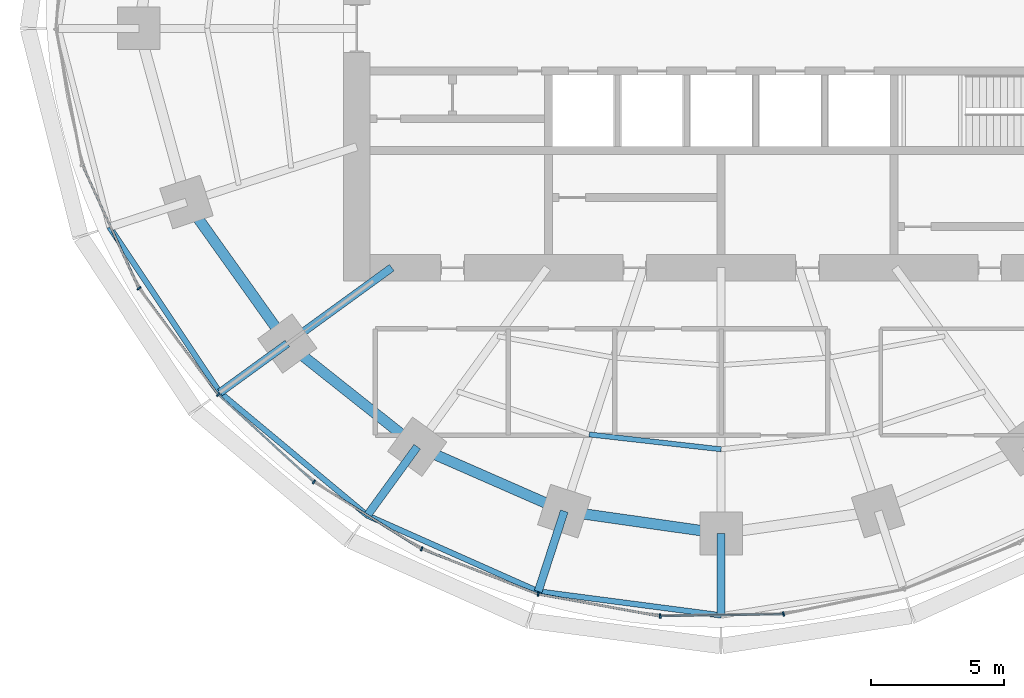
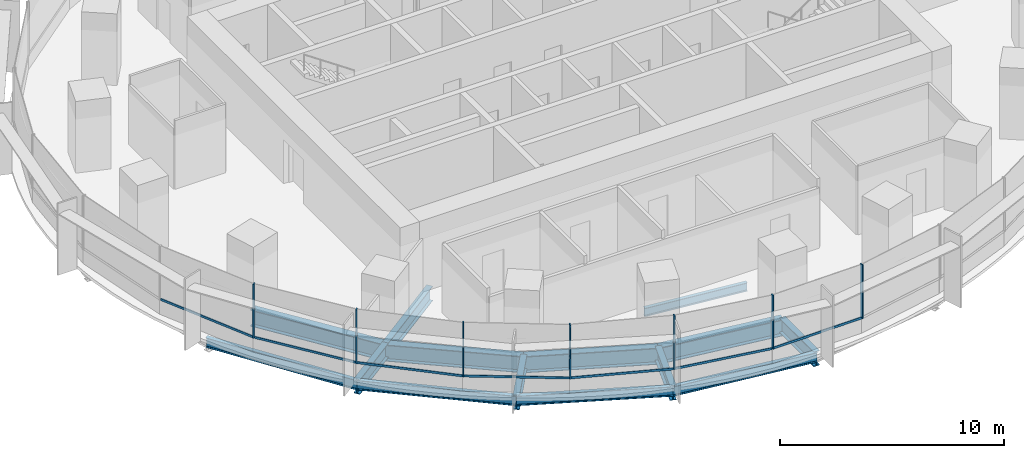
# One storey, part 2 of 14: 14 beams, 14 members, 2 elements without a shape of their own.
"""IFC4 building model written with IfcOpenShell, lengths in metres."""

from ifc_helpers import new_model, si_unit, direction, frame, origin, origin_2d, place, context, subcontext, project, spatial, rectangle, i_section, extrude, material, material_profile, profile_set, type_object, element, aggregate, save


model = new_model("IFC4")

# Units and contexts
model_context = context("Model", 3, precision=1e-05, world=origin(), true_north=direction((0.0, 1.0)))
body_context = subcontext(model_context, "Body", "Model", "MODEL_VIEW")
ifc_project = project(units=[si_unit("LENGTHUNIT", "METRE"), si_unit("AREAUNIT", "SQUARE_METRE"), si_unit("VOLUMEUNIT", "CUBIC_METRE"), si_unit("PLANEANGLEUNIT", "RADIAN"), si_unit("MASSUNIT", "GRAM", prefix="KILO")], contexts=[model_context])

# Site, building, storey
site_placement = place(None, origin())
site = spatial("IfcSite", under=ifc_project, at=site_placement, CompositionType="ELEMENT")
building_placement = place(site_placement, origin())
building = spatial("IfcBuilding", under=site, at=building_placement, Name="Marramba Exchange Tower", CompositionType="ELEMENT")
storey_placement = place(building_placement, frame((0.0, 0.0, 143.10009765625)))
storey = spatial("IfcBuildingStorey", under=building, at=storey_placement, Name="L34", CompositionType="ELEMENT", Elevation=143.10009765625)

# Beams
ifc_material_1 = material(Name="Steel AS/NZS 3679.2 grade 300", Category="steel")
ifc_material_profile_1 = material_profile(ifc_material_1, i_section(OverallWidth=0.300048828125, OverallDepth=0.800048828125, WebThickness=0.013916015625, FlangeThickness=0.031982421875, at=origin_2d()), Name="800WB192")
ifc_profile_set_1 = profile_set([ifc_material_profile_1], Name="Steel AS/NZS 3679.2 grade 300")
beam_type_1 = type_object("IfcBeamType", Name="Cantilever girder 800WB192", PredefinedType="BEAM", material=ifc_profile_set_1)
beam_1_placement = place(storey_placement, frame((-16.3154296875, -11.853759765625, -0.56005859375), z_axis=(-0.809025813822, -0.587773113173, 0.0), x_axis=(0.587773113173, -0.809025813822, 0.0)))
element("IfcBeam", 1, at=beam_1_placement, inside=storey, type_object=beam_type_1, Name="Cantilever girder L34 TC13", PredefinedType="BEAM", context=body_context, shape_type="SweptSolid", body=[
    extrude(i_section(OverallWidth=0.300048828125, OverallDepth=0.800048828125, WebThickness=0.013916015625, FlangeThickness=0.031982421875, at=origin_2d()), origin(), (0.0, 0.0, 1.0), 3.132568359375),
])
beam_2_placement = place(storey_placement, frame((-11.430419921875, -15.732666015625, -0.56005859375), z_axis=(-0.587767308424, -0.809030031054, 0.0), x_axis=(0.809030031054, -0.587767308424, 0.0)))
element("IfcBeam", 2, at=beam_2_placement, inside=storey, type_object=beam_type_1, Name="Cantilever girder L34 TC14", PredefinedType="BEAM", context=body_context, shape_type="SweptSolid", body=[
    extrude(i_section(OverallWidth=0.300048828125, OverallDepth=0.800048828125, WebThickness=0.013916015625, FlangeThickness=0.031982421875, at=origin_2d()), origin(), (0.0, 0.0, 1.0), 3.195556640625),
])
beam_3_placement = place(storey_placement, frame((-5.899658203125, -18.156982421875, -0.56005859375), z_axis=(-0.309018232614, -0.951056113966, 0.0), x_axis=(0.951056113966, -0.309018232614, 0.0)))
element("IfcBeam", 3, at=beam_3_placement, inside=storey, type_object=beam_type_1, Name="Cantilever girder L34 TC15", PredefinedType="BEAM", context=body_context, shape_type="SweptSolid", body=[
    extrude(i_section(OverallWidth=0.300048828125, OverallDepth=0.800048828125, WebThickness=0.013916015625, FlangeThickness=0.031982421875, at=origin_2d()), origin(), (0.0, 0.0, 1.0), 3.173583984375),
])
beam_4_placement = place(storey_placement, frame((0.0, -18.99609375, -0.56005859375), z_axis=(0.0, -1.0, 0.0), x_axis=(1.0, 0.0, 0.0)))
element("IfcBeam", 4, at=beam_4_placement, inside=storey, type_object=beam_type_1, Name="Cantilever girder L34 TC16", PredefinedType="BEAM", context=body_context, shape_type="SweptSolid", body=[
    extrude(i_section(OverallWidth=0.300048828125, OverallDepth=0.800048828125, WebThickness=0.013916015625, FlangeThickness=0.031982421875, at=origin_2d()), origin(), (0.0, 0.0, 1.0), 3.080810546875),
])
ifc_material_2 = material(Name="Steel AS/NZS 3679.1 grade 300", Category="steel")
ifc_material_profile_2 = material_profile(ifc_material_2, i_section(OverallWidth=0.18994140625, OverallDepth=0.4541015625, WebThickness=0.008544921875, FlangeThickness=0.0126953125, FilletRadius=0.011474609375, at=origin_2d()), Name="460UB67.1")
ifc_profile_set_2 = profile_set([ifc_material_profile_2], Name="Steel AS/NZS 3679.1 grade 300")
beam_type_2 = type_object("IfcBeamType", Name="Floor joist 460UB67.1", PredefinedType="JOIST", material=ifc_profile_set_2)
beam_5_placement = place(storey_placement, frame((-4.9619140625, -15.271484375, -0.38720703125), z_axis=(0.993712018573, -0.111966174106, 0.0), x_axis=(0.111966174106, 0.993712018573, 0.0)))
element("IfcBeam", 5, at=beam_5_placement, inside=storey, type_object=beam_type_2, Name="Joist L34 bay 15 row 2", PredefinedType="JOIST", context=body_context, shape_type="SweptSolid", body=[
    extrude(i_section(OverallWidth=0.18994140625, OverallDepth=0.4541015625, WebThickness=0.008544921875, FlangeThickness=0.0126953125, FilletRadius=0.011474609375, at=origin_2d()), origin(), (0.0, 0.0, 1.0), 4.993408203125),
])

# Curtain wall, members
ifc_material_3 = material(Name="Aluminium framing, bronze anodised", Category="aluminium")
curtain_wall_type = type_object("IfcCurtainWallType", Name="Office ribbon curtain wall", PredefinedType="USERDEFINED", material=ifc_material_3)
curtain_wall_1_placement = place(storey_placement, origin())
curtain_wall_1 = element("IfcCurtainWall", 6, at=curtain_wall_1_placement, inside=storey, type_object=curtain_wall_type, Name="Curtain wall CW4 L34 F16-F20", ObjectType="RIBBON CURTAIN WALL", PredefinedType="USERDEFINED")
ifc_material_4 = material(Name="Aluminium mullion, bronze anodised", Category="aluminium")
ifc_material_profile_3 = material_profile(ifc_material_4, rectangle(XDim=0.159912109375, YDim=0.06005859375, at=origin_2d()), Name="CW4 mullion 60x160")
ifc_profile_set_3 = profile_set([ifc_material_profile_3], Name="Aluminium mullion, bronze anodised")
member_type_1 = type_object("IfcMemberType", Name="Office ribbon curtain wall mullion", PredefinedType="MULLION", material=ifc_profile_set_3)
member_1_placement = place(storey_placement, frame((-21.891357421875, -9.778564453125, 0.7998046875), z_axis=(0.0, 0.0, 1.0), x_axis=(0.802014400683, 0.597304697033, 0.0)))
member_1 = element("IfcMember", 7, at=member_1_placement, type_object=member_type_1, Name="CW4 mullion 1", PredefinedType="MULLION", context=body_context, shape_type="SweptSolid", body=[
    extrude(rectangle(XDim=0.159912109375, YDim=0.06005859375, at=origin_2d()), origin(), (0.0, 0.0, 1.0), 2.940185546875),
])
member_2_placement = place(storey_placement, frame((-18.90869140625, -13.774169921875, 0.7998046875), z_axis=(0.0, 0.0, 1.0), x_axis=(0.674995455115, 0.737821886077, 0.0)))
member_2 = element("IfcMember", 8, at=member_2_placement, type_object=member_type_1, Name="CW4 mullion 1", PredefinedType="MULLION", context=body_context, shape_type="SweptSolid", body=[
    extrude(rectangle(XDim=0.159912109375, YDim=0.06005859375, at=origin_2d()), origin(), (0.0, 0.0, 1.0), 2.940185546875),
])
member_3_placement = place(storey_placement, frame((-15.315673828125, -17.053955078125, 0.7998046875), z_axis=(0.0, 0.0, 1.0), x_axis=(0.52942844364, 0.84835459748, 0.0)))
member_3 = element("IfcMember", 9, at=member_3_placement, type_object=member_type_1, Name="CW4 mullion 1", PredefinedType="MULLION", context=body_context, shape_type="SweptSolid", body=[
    extrude(rectangle(XDim=0.159912109375, YDim=0.06005859375, at=origin_2d()), origin(), (0.0, 0.0, 1.0), 2.940185546875),
])

curtain_wall_2_placement = place(storey_placement, origin())
curtain_wall_2 = element("IfcCurtainWall", 10, at=curtain_wall_2_placement, inside=storey, type_object=curtain_wall_type, Name="Curtain wall CW4 L34 F21-F25", ObjectType="RIBBON CURTAIN WALL", PredefinedType="USERDEFINED")
member_4_placement = place(storey_placement, frame((-11.266845703125, -19.573974609375, 0.7998046875), z_axis=(0.0, 0.0, 1.0), x_axis=(0.36292490603, 0.931818390344, 0.0)))
member_4 = element("IfcMember", 11, at=member_4_placement, type_object=member_type_1, Name="CW4 mullion 1", PredefinedType="MULLION", context=body_context, shape_type="SweptSolid", body=[
    extrude(rectangle(XDim=0.159912109375, YDim=0.06005859375, at=origin_2d()), origin(), (0.0, 0.0, 1.0), 2.940185546875),
])
member_5_placement = place(storey_placement, frame((-6.881591796875, -21.27587890625, 0.7998046875), z_axis=(0.0, 0.0, 1.0), x_axis=(0.177992379115, 0.984031865834, 0.0)))
member_5 = element("IfcMember", 12, at=member_5_placement, type_object=member_type_1, Name="CW4 mullion 1", PredefinedType="MULLION", context=body_context, shape_type="SweptSolid", body=[
    extrude(rectangle(XDim=0.159912109375, YDim=0.06005859375, at=origin_2d()), origin(), (0.0, 0.0, 1.0), 2.940185546875),
])
member_6_placement = place(storey_placement, frame((-2.292724609375, -22.099853515625, 0.7998046875), z_axis=(0.0, 0.0, 1.0), x_axis=(-0.015178646521, 0.999884797709, 0.0)))
member_6 = element("IfcMember", 13, at=member_6_placement, type_object=member_type_1, Name="CW4 mullion 1", PredefinedType="MULLION", context=body_context, shape_type="SweptSolid", body=[
    extrude(rectangle(XDim=0.159912109375, YDim=0.06005859375, at=origin_2d()), origin(), (0.0, 0.0, 1.0), 2.940185546875),
])
member_7_placement = place(storey_placement, frame((2.3447265625, -22.02392578125, 0.7998046875), z_axis=(0.0, 0.0, 1.0), x_axis=(-0.202364850159, 0.979310199794, 0.0)))
member_7 = element("IfcMember", 14, at=member_7_placement, type_object=member_type_1, Name="CW4 mullion 1", PredefinedType="MULLION", context=body_context, shape_type="SweptSolid", body=[
    extrude(rectangle(XDim=0.159912109375, YDim=0.06005859375, at=origin_2d()), origin(), (0.0, 0.0, 1.0), 2.940185546875),
])

# Member
ifc_material_5 = material(Name="Aluminium transom, bronze anodised", Category="aluminium")
ifc_material_profile_4 = material_profile(ifc_material_5, rectangle(XDim=0.06005859375, YDim=0.1201171875, at=origin_2d()), Name="CW4 transom 60x120")
ifc_profile_set_4 = profile_set([ifc_material_profile_4], Name="Aluminium transom, bronze anodised")
member_type_2 = type_object("IfcMemberType", Name="Office ribbon curtain wall transom", PredefinedType="USERDEFINED", material=ifc_profile_set_4)
member_8_placement = place(storey_placement, frame((-24.013671875, -5.1640625, 0.829833984375), z_axis=(0.416732948599, -0.909028959688, 0.0), x_axis=(0.909028959688, 0.416732948599, 0.0)))
member_8 = element("IfcMember", 15, at=member_8_placement, type_object=member_type_2, Name="CW4 sill transom", ObjectType="TRANSOM", PredefinedType="USERDEFINED", context=body_context, shape_type="SweptSolid", body=[
    extrude(rectangle(XDim=0.06005859375, YDim=0.1201171875, at=origin_2d()), origin(), (0.0, 0.0, 1.0), 5.050048828125),
])

member_9_placement = place(storey_placement, frame((-21.873291015625, -9.802734375, 0.829833984375), z_axis=(0.597300736643, -0.80201735019, 0.0), x_axis=(0.80201735019, 0.597300736643, 0.0)))
member_9 = element("IfcMember", 16, at=member_9_placement, type_object=member_type_2, Name="CW4 sill transom", ObjectType="TRANSOM", PredefinedType="USERDEFINED", context=body_context, shape_type="SweptSolid", body=[
    extrude(rectangle(XDim=0.06005859375, YDim=0.1201171875, at=origin_2d()), origin(), (0.0, 0.0, 1.0), 4.926513671875),
])

member_10_placement = place(storey_placement, frame((-18.886474609375, -13.79443359375, 0.829833984375), z_axis=(0.737807565469, -0.675011108306, 0.0), x_axis=(0.675011108306, 0.737807565469, 0.0)))
member_10 = element("IfcMember", 17, at=member_10_placement, type_object=member_type_2, Name="CW4 sill transom", ObjectType="TRANSOM", PredefinedType="USERDEFINED", context=body_context, shape_type="SweptSolid", body=[
    extrude(rectangle(XDim=0.06005859375, YDim=0.1201171875, at=origin_2d()), origin(), (0.0, 0.0, 1.0), 4.805419921875),
])

member_11_placement = place(storey_placement, frame((-15.2900390625, -17.06982421875, 0.829833984375), z_axis=(0.848373790728, -0.529397687193, 0.0), x_axis=(0.529397687193, 0.848373790728, 0.0)))
member_11 = element("IfcMember", 18, at=member_11_placement, type_object=member_type_2, Name="CW4 sill transom", ObjectType="TRANSOM", PredefinedType="USERDEFINED", context=body_context, shape_type="SweptSolid", body=[
    extrude(rectangle(XDim=0.06005859375, YDim=0.1201171875, at=origin_2d()), origin(), (0.0, 0.0, 1.0), 4.70947265625),
])

aggregate(curtain_wall_1, [member_8, member_1, member_9, member_2, member_10, member_3, member_11])

member_12_placement = place(storey_placement, frame((-11.23876953125, -19.5849609375, 0.829833984375), z_axis=(0.931817106708, -0.362928201778, 0.0), x_axis=(0.362928201778, 0.931817106708, 0.0)))
member_12 = element("IfcMember", 19, at=member_12_placement, type_object=member_type_2, Name="CW4 sill transom", ObjectType="TRANSOM", PredefinedType="USERDEFINED", context=body_context, shape_type="SweptSolid", body=[
    extrude(rectangle(XDim=0.06005859375, YDim=0.1201171875, at=origin_2d()), origin(), (0.0, 0.0, 1.0), 4.644287109375),
])

member_13_placement = place(storey_placement, frame((-6.85205078125, -21.281005859375, 0.829833984375), z_axis=(0.98402906811, -0.178007845654, 0.0), x_axis=(0.178007845654, 0.98402906811, 0.0)))
member_13 = element("IfcMember", 20, at=member_13_placement, type_object=member_type_2, Name="CW4 sill transom", ObjectType="TRANSOM", PredefinedType="USERDEFINED", context=body_context, shape_type="SweptSolid", body=[
    extrude(rectangle(XDim=0.06005859375, YDim=0.1201171875, at=origin_2d()), origin(), (0.0, 0.0, 1.0), 4.602783203125),
])

member_14_placement = place(storey_placement, frame((-2.262939453125, -22.099365234375, 0.829833984375), z_axis=(0.999885345665, 0.015142507235, 0.0), x_axis=(-0.015142507235, 0.999885345665, 0.0)))
member_14 = element("IfcMember", 21, at=member_14_placement, type_object=member_type_2, Name="CW4 sill transom", ObjectType="TRANSOM", PredefinedType="USERDEFINED", context=body_context, shape_type="SweptSolid", body=[
    extrude(rectangle(XDim=0.06005859375, YDim=0.1201171875, at=origin_2d()), origin(), (0.0, 0.0, 1.0), 4.578857421875),
])

aggregate(curtain_wall_2, [member_4, member_12, member_5, member_13, member_6, member_14, member_7])

# Beams
ifc_material_profile_5 = material_profile(ifc_material_1, i_section(OverallWidth=0.300048828125, OverallDepth=0.800048828125, WebThickness=0.013916015625, FlangeThickness=0.031982421875, at=origin_2d()), Name="800WB192")
ifc_profile_set_5 = profile_set([ifc_material_profile_5], Name="Steel AS/NZS 3679.2 grade 300")
beam_type_3 = type_object("IfcBeamType", Name="Radial girder 800WB192", PredefinedType="BEAM", material=ifc_profile_set_5)
beam_6_placement = place(storey_placement, frame((-12.387451171875, -9.0, -0.56005859375), z_axis=(-0.809025189606, -0.58777397236, 0.0), x_axis=(0.58777397236, -0.809025189606, 0.0)))
element("IfcBeam", 22, at=beam_6_placement, inside=storey, type_object=beam_type_3, Name="Radial girder L34 TC13", PredefinedType="BEAM", context=body_context, shape_type="SweptSolid", body=[
    extrude(i_section(OverallWidth=0.300048828125, OverallDepth=0.800048828125, WebThickness=0.013916015625, FlangeThickness=0.031982421875, at=origin_2d()), origin(), (0.0, 0.0, 1.0), 4.855224609375),
])
ifc_material_profile_6 = material_profile(ifc_material_1, i_section(OverallWidth=0.39990234375, OverallDepth=0.89990234375, WebThickness=0.01611328125, FlangeThickness=0.031982421875, at=origin_2d()), Name="900WB282")
ifc_profile_set_6 = profile_set([ifc_material_profile_6], Name="Steel AS/NZS 3679.2 grade 300")
beam_type_4 = type_object("IfcBeamType", Name="Ring beam 900WB282", PredefinedType="SPANDREL", material=ifc_profile_set_6)
beam_7_placement = place(storey_placement, frame((-20.109375, -6.533935546875, -0.610107421875), z_axis=(0.580637181111, -0.814162430914, 0.0), x_axis=(0.814162430914, 0.580637181111, 0.0)))
element("IfcBeam", 23, at=beam_7_placement, inside=storey, type_object=beam_type_4, Name="Ring beam L34 TC12-TC13", PredefinedType="SPANDREL", context=body_context, shape_type="SweptSolid", body=[
    extrude(i_section(OverallWidth=0.39990234375, OverallDepth=0.89990234375, WebThickness=0.01611328125, FlangeThickness=0.031982421875, at=origin_2d()), origin(), (0.0, 0.0, 1.0), 6.5341796875),
])
beam_8_placement = place(storey_placement, frame((-16.3154296875, -11.853759765625, -0.610107421875), z_axis=(0.783139438128, -0.621846138887, 0.0), x_axis=(0.621846138887, 0.783139438128, 0.0)))
element("IfcBeam", 24, at=beam_8_placement, inside=storey, type_object=beam_type_4, Name="Ring beam L34 TC13-TC14", PredefinedType="SPANDREL", context=body_context, shape_type="SweptSolid", body=[
    extrude(i_section(OverallWidth=0.39990234375, OverallDepth=0.89990234375, WebThickness=0.01611328125, FlangeThickness=0.031982421875, at=origin_2d()), origin(), (0.0, 0.0, 1.0), 6.23779296875),
])
beam_9_placement = place(storey_placement, frame((-11.430419921875, -15.732666015625, -0.610107421875), z_axis=(0.915876892158, -0.4014592363, 0.0), x_axis=(0.4014592363, 0.915876892158, 0.0)))
element("IfcBeam", 25, at=beam_9_placement, inside=storey, type_object=beam_type_4, Name="Ring beam L34 TC14-TC15", PredefinedType="SPANDREL", context=body_context, shape_type="SweptSolid", body=[
    extrude(i_section(OverallWidth=0.39990234375, OverallDepth=0.89990234375, WebThickness=0.01611328125, FlangeThickness=0.031982421875, at=origin_2d()), origin(), (0.0, 0.0, 1.0), 6.038818359375),
])
beam_10_placement = place(storey_placement, frame((-5.899658203125, -18.156982421875, -0.610107421875), z_axis=(0.990036163016, -0.140813337152, 0.0), x_axis=(0.140813337152, 0.990036163016, 0.0)))
element("IfcBeam", 26, at=beam_10_placement, inside=storey, type_object=beam_type_4, Name="Ring beam L34 TC15-TC16", PredefinedType="SPANDREL", context=body_context, shape_type="SweptSolid", body=[
    extrude(i_section(OverallWidth=0.39990234375, OverallDepth=0.89990234375, WebThickness=0.01611328125, FlangeThickness=0.031982421875, at=origin_2d()), origin(), (0.0, 0.0, 1.0), 5.958984375),
])
ifc_material_profile_7 = material_profile(ifc_material_2, i_section(OverallWidth=0.208984375, OverallDepth=0.528076171875, WebThickness=0.009521484375, FlangeThickness=0.01318359375, FilletRadius=0.013916015625, at=origin_2d()), Name="530UB82.0")
ifc_profile_set_7 = profile_set([ifc_material_profile_7], Name="Steel AS/NZS 3679.1 grade 300")
beam_type_5 = type_object("IfcBeamType", Name="Slab edge beam 530UB82.0", PredefinedType="SPANDREL", material=ifc_profile_set_7)
beam_11_placement = place(storey_placement, frame((-23.00341796875, -7.47412109375, -0.424072265625), z_axis=(0.555280023791, -0.831663450669, 0.0), x_axis=(0.831663450669, 0.555280023791, 0.0)))
element("IfcBeam", 27, at=beam_11_placement, inside=storey, type_object=beam_type_5, Name="Slab edge beam L34 TC12-TC13", PredefinedType="SPANDREL", context=body_context, shape_type="SweptSolid", body=[
    extrude(i_section(OverallWidth=0.208984375, OverallDepth=0.528076171875, WebThickness=0.009521484375, FlangeThickness=0.01318359375, FilletRadius=0.013916015625, at=origin_2d()), origin(), (0.0, 0.0, 1.0), 7.480224609375),
])
beam_12_placement = place(storey_placement, frame((-18.849853515625, -13.695068359375, -0.424072265625), z_axis=(0.767874532322, -0.640600267415, 0.0), x_axis=(0.640600267415, 0.767874532322, 0.0)))
element("IfcBeam", 28, at=beam_12_placement, inside=storey, type_object=beam_type_5, Name="Slab edge beam L34 TC13-TC14", PredefinedType="SPANDREL", context=body_context, shape_type="SweptSolid", body=[
    extrude(i_section(OverallWidth=0.208984375, OverallDepth=0.528076171875, WebThickness=0.009521484375, FlangeThickness=0.01318359375, FilletRadius=0.013916015625, at=origin_2d()), origin(), (0.0, 0.0, 1.0), 7.21630859375),
])
beam_13_placement = place(storey_placement, frame((-13.30859375, -18.31787109375, -0.424072265625), z_axis=(0.913788648873, -0.406189986571, 0.0), x_axis=(0.406189986571, 0.913788648873, 0.0)))
element("IfcBeam", 29, at=beam_13_placement, inside=storey, type_object=beam_type_5, Name="Slab edge beam L34 TC14-TC15", PredefinedType="SPANDREL", context=body_context, shape_type="SweptSolid", body=[
    extrude(i_section(OverallWidth=0.208984375, OverallDepth=0.528076171875, WebThickness=0.009521484375, FlangeThickness=0.01318359375, FilletRadius=0.013916015625, at=origin_2d()), origin(), (0.0, 0.0, 1.0), 7.03466796875),
])
beam_14_placement = place(storey_placement, frame((-6.88037109375, -21.17529296875, -0.424072265625), z_axis=(0.991523133546, -0.129930272237, 0.0), x_axis=(0.129930272237, 0.991523133546, 0.0)))
element("IfcBeam", 30, at=beam_14_placement, inside=storey, type_object=beam_type_5, Name="Slab edge beam L34 TC15-TC16", PredefinedType="SPANDREL", context=body_context, shape_type="SweptSolid", body=[
    extrude(i_section(OverallWidth=0.208984375, OverallDepth=0.528076171875, WebThickness=0.009521484375, FlangeThickness=0.01318359375, FilletRadius=0.013916015625, at=origin_2d()), origin(), (0.0, 0.0, 1.0), 6.939208984375),
])

save(model, "model.ifc")
